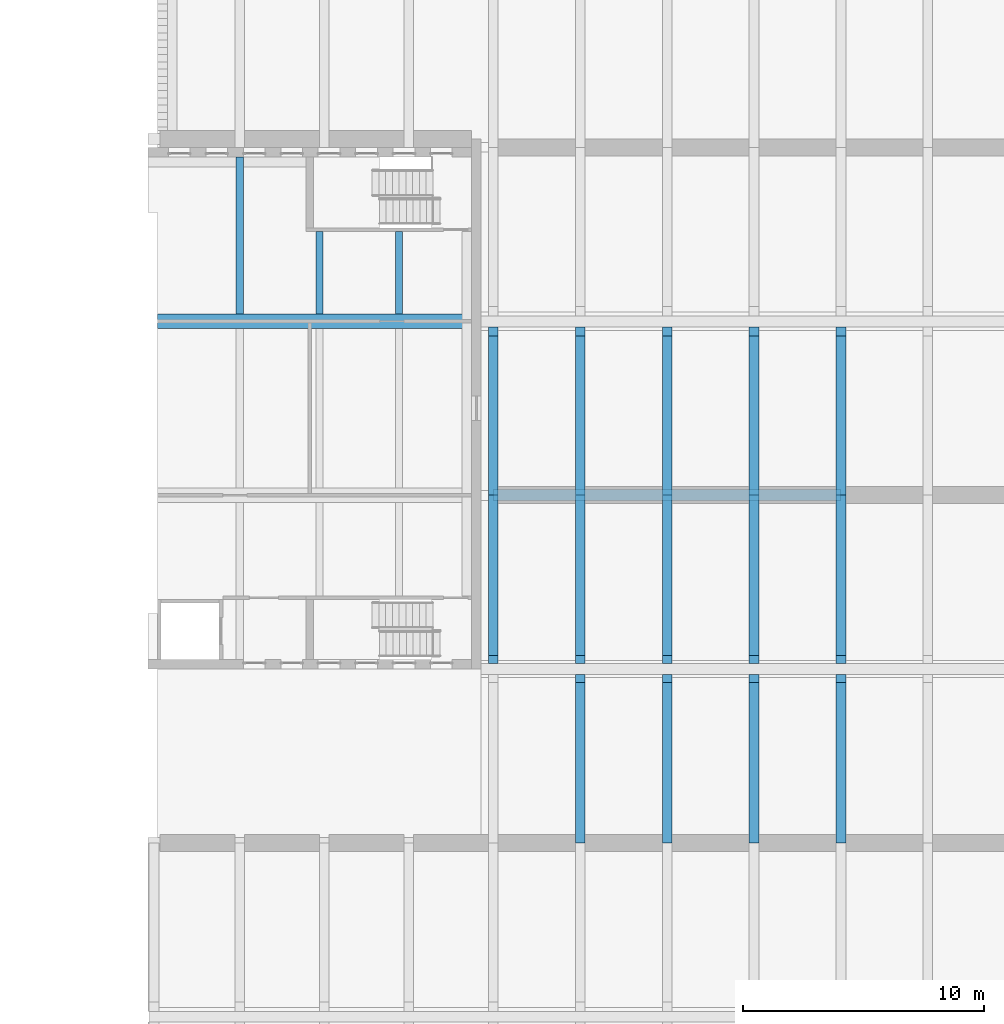
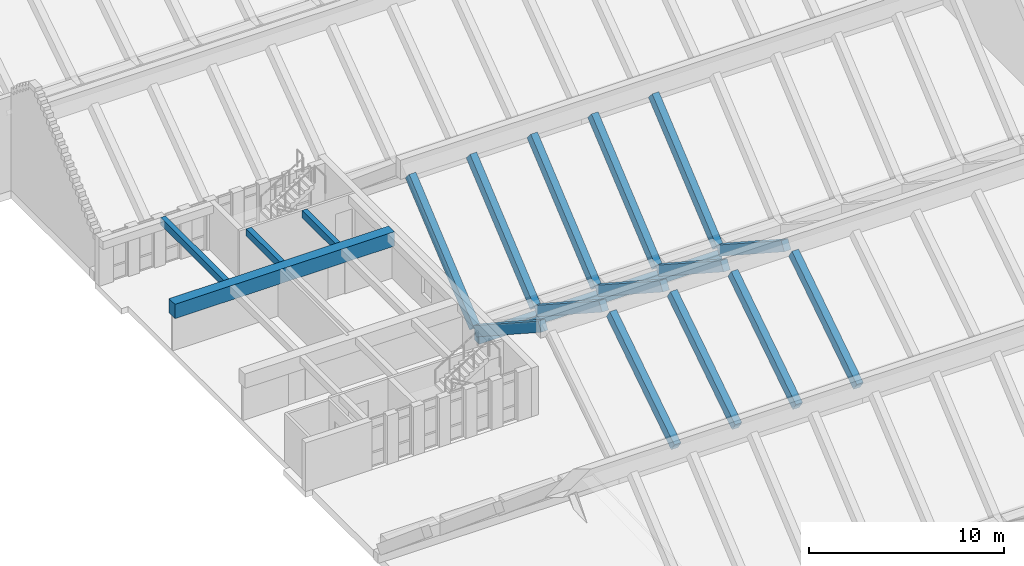
# One storey, part 6 of 31: 19 beams.
"""IFC4 building model written with IfcOpenShell, lengths in metres."""

from ifc_helpers import new_model, si_unit, direction, frame, origin, origin_2d, place, context, subcontext, project, spatial, rectangle, extrude, material, material_profile, profile_set, type_object, element, save


model = new_model("IFC4")

# Units and contexts
model_context = context("Model", 3, precision=1e-05, world=origin(), true_north=direction((0.0, 1.0)))
body_context = subcontext(model_context, "Body", "Model", "MODEL_VIEW")
ifc_project = project(units=[si_unit("LENGTHUNIT", "METRE"), si_unit("AREAUNIT", "SQUARE_METRE"), si_unit("VOLUMEUNIT", "CUBIC_METRE"), si_unit("PLANEANGLEUNIT", "RADIAN"), si_unit("MASSUNIT", "GRAM", prefix="KILO")], contexts=[model_context])

# Site, building, storey
site_placement = place(None, origin())
site = spatial("IfcSite", under=ifc_project, at=site_placement, CompositionType="ELEMENT")
building_placement = place(site_placement, origin())
building = spatial("IfcBuilding", under=site, at=building_placement, Name="Vermilion Court Aquatics Centre", CompositionType="ELEMENT")
storey_placement = place(building_placement, frame((0.0, 0.0, 16.5)))
storey = spatial("IfcBuildingStorey", under=building, at=storey_placement, Name="L03", CompositionType="ELEMENT", Elevation=16.5)

# Beams
ifc_material_1 = material(Name="Concrete 8000 psi", Category="concrete")
ifc_material_profile_1 = material_profile(ifc_material_1, rectangle(XDim=0.300048828125, YDim=0.449951171875, at=origin_2d()), Name="RC 300x450")
ifc_profile_set_1 = profile_set([ifc_material_profile_1], Name="Concrete 8000 psi")
beam_type_1 = type_object("IfcBeamType", Name="Diving Tower floor joist RC 300x450", PredefinedType="JOIST", material=ifc_profile_set_1)
beam_1_placement = place(storey_placement, frame((147.89990234375, 50.699951171875, 2.824951171875), z_axis=(0.0, 1.0, 0.0), x_axis=(-1.0, 0.0, 0.0)))
element("IfcBeam", 1, at=beam_1_placement, inside=storey, type_object=beam_type_1, Name="Diving Tower floor joist x147.9 4 L04", PredefinedType="JOIST", context=body_context, shape_type="SweptSolid", body=[
    extrude(rectangle(XDim=0.300048828125, YDim=0.449951171875, at=origin_2d()), origin(), (0.0, 0.0, 1.0), 6.5),
])
for number, where, z_axis, x_axis, name in (
    (2, (151.199951171875, 50.699951171875, 2.824951171875), (0.0, 1.0, 0.0), (-1.0, 0.0, 0.0), "Diving Tower floor joist x151.2 3 L04"),
    (3, (154.5, 50.699951171875, 2.824951171875), (0.0, 1.0, 0.0), (-1.0, 0.0, 0.0), "Diving Tower floor joist x154.5 3 L04"),
):
    element("IfcBeam", number, at=place(storey_placement, frame(where, z_axis=z_axis, x_axis=x_axis)), inside=storey, type_object=beam_type_1, Name=name, PredefinedType="JOIST", context=body_context, shape_type="SweptSolid", body=[
        extrude(rectangle(XDim=0.300048828125, YDim=0.449951171875, at=origin_2d()), origin(), (0.0, 0.0, 1.0), 3.425048828125),
    ])
ifc_material_2 = material(Name="Concrete 8000 psi", Category="concrete")
ifc_material_profile_2 = material_profile(ifc_material_2, rectangle(XDim=0.60009765625, YDim=0.89990234375, at=origin_2d()), Name="RC 600x900")
ifc_profile_set_2 = profile_set([ifc_material_profile_2], Name="Concrete 8000 psi")
beam_type_2 = type_object("IfcBeamType", Name="Diving Tower girder 600x900", PredefinedType="BEAM", material=ifc_profile_set_2)
beam_2_placement = place(storey_placement, frame((144.5, 50.39990234375, 2.60009765625), z_axis=(1.0, 0.0, 0.0), x_axis=(0.0, 1.0, 0.0)))
element("IfcBeam", 4, at=beam_2_placement, inside=storey, type_object=beam_type_2, Name="Diving Tower girder y50.4 L04", PredefinedType="BEAM", context=body_context, shape_type="SweptSolid", body=[
    extrude(rectangle(XDim=0.60009765625, YDim=0.89990234375, at=origin_2d()), origin(), (0.0, 0.0, 1.0), 13.0),
])
ifc_material_3 = material(Name="Concrete 5000 psi", Category="concrete")
ifc_material_profile_3 = material_profile(ifc_material_3, rectangle(XDim=0.39990234375, YDim=0.60009765625, at=origin_2d()), Name="RC 400x600")
ifc_profile_set_3 = profile_set([ifc_material_profile_3], Name="Concrete 5000 psi")
beam_type_3 = type_object("IfcBeamType", Name="Podium roof rafter RC 400x600", PredefinedType="BEAM", material=ifc_profile_set_3)
for number, where, z_axis, x_axis, name in (
    (5, (158.39990234375, 43.0361328125, 0.8515625), (0.0, -0.83866661958, 0.544645114916), (1.0, 0.0, 0.0), "Roof rafter"),
    (6, (162.0, 28.9638671875, 0.8515625), (0.0, 0.83866661958, 0.544645114916), (-1.0, 0.0, 0.0), "Roof rafter"),
    (7, (162.0, 43.0361328125, 0.8515625), (0.0, -0.83866661958, 0.544645114916), (1.0, 0.0, 0.0), "Roof rafter"),
    (8, (165.60009765625, 28.9638671875, 0.8515625), (0.0, 0.83866661958, 0.544645114916), (-1.0, 0.0, 0.0), "Roof rafter"),
    (9, (165.60009765625, 43.0361328125, 0.8515625), (0.0, -0.83866661958, 0.544645114916), (1.0, 0.0, 0.0), "Roof rafter"),
    (10, (169.199951171875, 28.9638671875, 0.8515625), (0.0, 0.83866661958, 0.544645114916), (-1.0, 0.0, 0.0), "Roof rafter"),
    (11, (169.199951171875, 43.0361328125, 0.8515625), (0.0, -0.83866661958, 0.544645114916), (1.0, 0.0, 0.0), "Roof rafter"),
    (12, (172.800048828125, 28.9638671875, 0.8515625), (0.0, 0.83866661958, 0.544645114916), (-1.0, 0.0, 0.0), "Roof rafter"),
    (13, (172.800048828125, 43.0361328125, 0.8515625), (0.0, -0.83866661958, 0.544645114916), (1.0, 0.0, 0.0), "Roof rafter"),
):
    element("IfcBeam", number, at=place(storey_placement, frame(where, z_axis=z_axis, x_axis=x_axis)), inside=storey, type_object=beam_type_3, Name=name, PredefinedType="BEAM", context=body_context, shape_type="SweptSolid", body=[
        extrude(rectangle(XDim=0.39990234375, YDim=0.60009765625, at=origin_2d()), origin(), (0.0, 0.0, 1.0), 7.926513671875),
    ])
for number, where, z_axis, x_axis, name in (
    (14, (158.39990234375, 43.393310546875, 0.829833984375), (0.0, 0.76605312053, 0.642777268209), (-1.0, 0.0, 0.0), "Roof rafter"),
    (15, (162.0, 43.393310546875, 0.829833984375), (0.0, 0.76605312053, 0.642777268209), (-1.0, 0.0, 0.0), "Roof rafter"),
    (16, (165.60009765625, 43.393310546875, 0.829833984375), (0.0, 0.76605312053, 0.642777268209), (-1.0, 0.0, 0.0), "Roof rafter"),
    (17, (169.199951171875, 43.393310546875, 0.829833984375), (0.0, 0.76605312053, 0.642777268209), (-1.0, 0.0, 0.0), "Roof rafter"),
    (18, (172.800048828125, 43.393310546875, 0.829833984375), (0.0, 0.76605312053, 0.642777268209), (-1.0, 0.0, 0.0), "Roof rafter"),
):
    element("IfcBeam", number, at=place(storey_placement, frame(where, z_axis=z_axis, x_axis=x_axis)), inside=storey, type_object=beam_type_3, Name=name, PredefinedType="BEAM", context=body_context, shape_type="SweptSolid", body=[
        extrude(rectangle(XDim=0.39990234375, YDim=0.60009765625, at=origin_2d()), origin(), (0.0, 0.0, 1.0), 8.60107421875),
    ])
ifc_material_4 = material(Name="Concrete 5000 psi", Category="concrete")
ifc_material_profile_4 = material_profile(ifc_material_4, rectangle(XDim=0.449951171875, YDim=0.60009765625, at=origin_2d()), Name="RC 450x600")
ifc_profile_set_4 = profile_set([ifc_material_profile_4], Name="Concrete 5000 psi")
beam_type_4 = type_object("IfcBeamType", Name="Podium roof valley beam RC 450x600", PredefinedType="BEAM", material=ifc_profile_set_4)
beam_3_placement = place(storey_placement, frame((158.39990234375, 43.199951171875, 0.300048828125), z_axis=(1.0, 0.0, 0.0), x_axis=(0.0, 1.0, 0.0)))
element("IfcBeam", 19, at=beam_3_placement, inside=storey, type_object=beam_type_4, Name="Roof valley beam", PredefinedType="BEAM", context=body_context, shape_type="SweptSolid", body=[
    extrude(rectangle(XDim=0.449951171875, YDim=0.60009765625, at=origin_2d()), origin(), (0.0, 0.0, 1.0), 14.400146484375),
])

save(model, "model.ifc")
